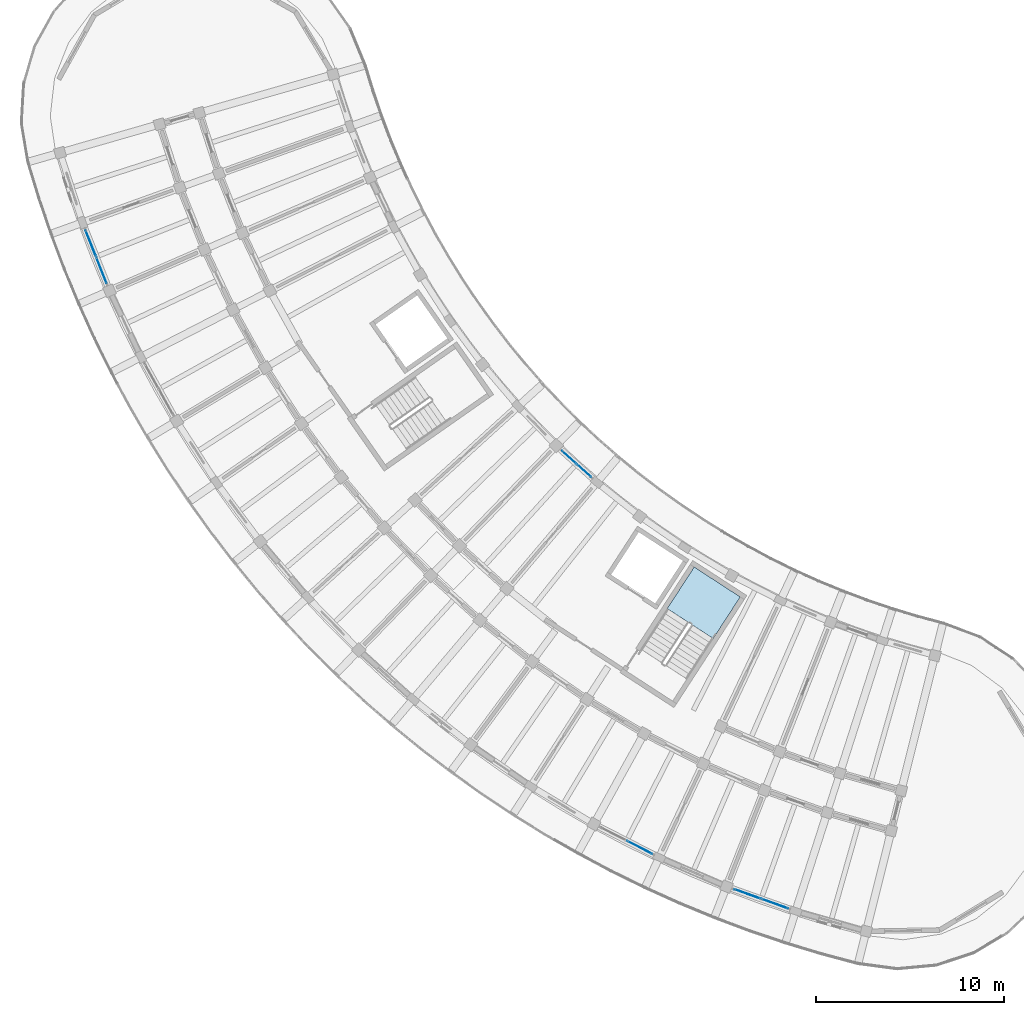
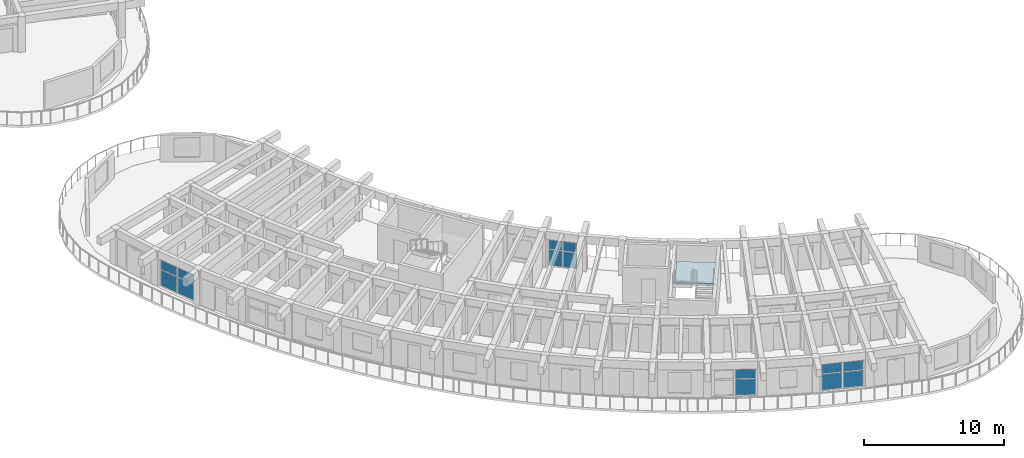
# One storey, part 44 of 96: 14 plates, 1 slab, 5 elements without a shape of their own.
"""IFC4 building model written with IfcOpenShell, lengths in metres."""

from ifc_helpers import new_model, si_unit, direction, frame, origin, origin_2d, place, context, subcontext, project, spatial, polyline, rectangle, outline, extrude, material, layer, layer_set, type_object, element, aggregate, save


model = new_model("IFC4")

# Units and contexts
model_context = context("Model", 3, precision=1e-05, world=origin(), true_north=direction((0.0, 1.0)))
body_context = subcontext(model_context, "Body", "Model", "MODEL_VIEW")
ifc_project = project(units=[si_unit("LENGTHUNIT", "METRE"), si_unit("AREAUNIT", "SQUARE_METRE"), si_unit("VOLUMEUNIT", "CUBIC_METRE"), si_unit("PLANEANGLEUNIT", "RADIAN"), si_unit("MASSUNIT", "GRAM", prefix="KILO")], contexts=[model_context])

# Site, building, storey
site_placement = place(None, origin())
site = spatial("IfcSite", under=ifc_project, at=site_placement, CompositionType="ELEMENT")
building_placement = place(site_placement, origin())
building = spatial("IfcBuilding", under=site, at=building_placement, Name="Tanwirah Colonnade Gardens", CompositionType="ELEMENT")
storey_placement = place(building_placement, frame((0.0, 0.0, 12.199951171875)))
storey = spatial("IfcBuildingStorey", under=building, at=storey_placement, Name="L03", CompositionType="ELEMENT", Elevation=12.199951171875)

# Curtain wall, plates
ifc_material_1 = material(Name="Bronze-anodised aluminium and solar-control low-E glass", Category="aluminium")
curtain_wall_type_1 = type_object("IfcCurtainWallType", Name="CW-LOB", PredefinedType="NOTDEFINED", material=ifc_material_1)
curtain_wall_1_placement = place(storey_placement, origin())
curtain_wall_1 = element("IfcCurtainWall", 1, at=curtain_wall_1_placement, inside=storey, type_object=curtain_wall_type_1, Name="Curtain Wall CW-C-L03-OUT-01", PredefinedType="NOTDEFINED")
ifc_material_2 = material(Name="Acoustic solar-control low-E double glazing", Category="glass")
ifc_layer_1 = layer(ifc_material_2, 0.031982421875)
ifc_layer_set_1 = layer_set([ifc_layer_1], Name="Acoustic solar-control low-E double glazing")
plate_type = type_object("IfcPlateType", Name="CWP-GLZ32", PredefinedType="CURTAIN_PANEL", material=ifc_layer_set_1)
plate_1_placement = place(storey_placement, frame((9.384765625, 43.287841796875, 0.070068359375), z_axis=(0.0, 0.0, 1.0), x_axis=(0.368528781723, -0.929616338627, 0.0)))
plate_1 = element("IfcPlate", 2, at=plate_1_placement, type_object=plate_type, Name="CW-LOB panel 1.1", PredefinedType="CURTAIN_PANEL", context=body_context, shape_type="SweptSolid", body=[
    extrude(rectangle(XDim=1.4833984375, YDim=0.031982421875, at=origin_2d()), origin(), (0.0, 0.0, 1.0), 1.35498046875),
])
plate_2_placement = place(storey_placement, frame((9.384765625, 43.287841796875, 1.4951171875), z_axis=(0.0, 0.0, 1.0), x_axis=(0.368528781723, -0.929616338627, 0.0)))
plate_2 = element("IfcPlate", 3, at=plate_2_placement, type_object=plate_type, Name="CW-LOB panel 1.2", PredefinedType="CURTAIN_PANEL", context=body_context, shape_type="SweptSolid", body=[
    extrude(rectangle(XDim=1.4833984375, YDim=0.031982421875, at=origin_2d()), origin(), (0.0, 0.0, 1.0), 0.789794921875),
])
plate_3_placement = place(storey_placement, frame((9.957275390625, 41.84375, 0.070068359375), z_axis=(0.0, 0.0, 1.0), x_axis=(0.368528781723, -0.929616338627, 0.0)))
plate_3 = element("IfcPlate", 4, at=plate_3_placement, type_object=plate_type, Name="CW-LOB panel 2.1", PredefinedType="CURTAIN_PANEL", context=body_context, shape_type="SweptSolid", body=[
    extrude(rectangle(XDim=1.4833984375, YDim=0.031982421875, at=origin_2d()), origin(), (0.0, 0.0, 1.0), 1.35498046875),
])
plate_4_placement = place(storey_placement, frame((9.957275390625, 41.84375, 1.4951171875), z_axis=(0.0, 0.0, 1.0), x_axis=(0.368528781723, -0.929616338627, 0.0)))
plate_4 = element("IfcPlate", 5, at=plate_4_placement, type_object=plate_type, Name="CW-LOB panel 2.2", PredefinedType="CURTAIN_PANEL", context=body_context, shape_type="SweptSolid", body=[
    extrude(rectangle(XDim=1.4833984375, YDim=0.031982421875, at=origin_2d()), origin(), (0.0, 0.0, 1.0), 0.789794921875),
])
aggregate(curtain_wall_1, [plate_1, plate_2, plate_3, plate_4])

curtain_wall_type_2 = type_object("IfcCurtainWallType", Name="CW-GDN", PredefinedType="NOTDEFINED", material=ifc_material_1)
curtain_wall_2_placement = place(storey_placement, origin())
curtain_wall_2 = element("IfcCurtainWall", 6, at=curtain_wall_2_placement, inside=storey, type_object=curtain_wall_type_2, Name="Curtain Wall CW-C-L03-IN-08", PredefinedType="NOTDEFINED")
plate_5_placement = place(storey_placement, frame((34.808349609375, 31.905029296875, 0.070068359375), z_axis=(0.0, 0.0, 1.0), x_axis=(0.741682643058, -0.670750964954, 0.0)))
plate_5 = element("IfcPlate", 7, at=plate_5_placement, type_object=plate_type, Name="CW-GDN panel 1.1", PredefinedType="CURTAIN_PANEL", context=body_context, shape_type="SweptSolid", body=[
    extrude(rectangle(XDim=0.9892578125, YDim=0.031982421875, at=origin_2d()), origin(), (0.0, 0.0, 1.0), 1.35498046875),
])
plate_6_placement = place(storey_placement, frame((34.808349609375, 31.905029296875, 1.4951171875), z_axis=(0.0, 0.0, 1.0), x_axis=(0.741682643058, -0.670750964954, 0.0)))
plate_6 = element("IfcPlate", 8, at=plate_6_placement, type_object=plate_type, Name="CW-GDN panel 1.2", PredefinedType="CURTAIN_PANEL", context=body_context, shape_type="SweptSolid", body=[
    extrude(rectangle(XDim=0.9892578125, YDim=0.031982421875, at=origin_2d()), origin(), (0.0, 0.0, 1.0), 0.789794921875),
])
plate_7_placement = place(storey_placement, frame((35.593994140625, 31.194580078125, 0.070068359375), z_axis=(0.0, 0.0, 1.0), x_axis=(0.741682643058, -0.670750964954, 0.0)))
plate_7 = element("IfcPlate", 9, at=plate_7_placement, type_object=plate_type, Name="CW-GDN panel 2.1", PredefinedType="CURTAIN_PANEL", context=body_context, shape_type="SweptSolid", body=[
    extrude(rectangle(XDim=0.9892578125, YDim=0.031982421875, at=origin_2d()), origin(), (0.0, 0.0, 1.0), 1.35498046875),
])
plate_8_placement = place(storey_placement, frame((35.593994140625, 31.194580078125, 1.4951171875), z_axis=(0.0, 0.0, 1.0), x_axis=(0.741682643058, -0.670750964954, 0.0)))
plate_8 = element("IfcPlate", 10, at=plate_8_placement, type_object=plate_type, Name="CW-GDN panel 2.2", PredefinedType="CURTAIN_PANEL", context=body_context, shape_type="SweptSolid", body=[
    extrude(rectangle(XDim=0.9892578125, YDim=0.031982421875, at=origin_2d()), origin(), (0.0, 0.0, 1.0), 0.789794921875),
])
aggregate(curtain_wall_2, [plate_5, plate_6, plate_7, plate_8])

curtain_wall_3_placement = place(storey_placement, origin())
curtain_wall_3 = element("IfcCurtainWall", 11, at=curtain_wall_3_placement, inside=storey, type_object=curtain_wall_type_1, Name="Curtain Wall CW-C-L03-OUT-12", PredefinedType="NOTDEFINED")
plate_9_placement = place(storey_placement, frame((38.554931640625, 11.173828125, 0.070068359375), z_axis=(0.0, 0.0, 1.0), x_axis=(0.890014111869, -0.455932978269, 0.0)))
plate_9 = element("IfcPlate", 12, at=plate_9_placement, type_object=plate_type, Name="CW-LOB panel 2.1", PredefinedType="CURTAIN_PANEL", context=body_context, shape_type="SweptSolid", body=[
    extrude(rectangle(XDim=1.4833984375, YDim=0.031982421875, at=origin_2d()), origin(), (0.0, 0.0, 1.0), 1.35498046875),
])
plate_10_placement = place(storey_placement, frame((38.554931640625, 11.173828125, 1.4951171875), z_axis=(0.0, 0.0, 1.0), x_axis=(0.890014111869, -0.455932978269, 0.0)))
plate_10 = element("IfcPlate", 13, at=plate_10_placement, type_object=plate_type, Name="CW-LOB panel 2.2", PredefinedType="CURTAIN_PANEL", context=body_context, shape_type="SweptSolid", body=[
    extrude(rectangle(XDim=1.4833984375, YDim=0.031982421875, at=origin_2d()), origin(), (0.0, 0.0, 1.0), 0.789794921875),
])
aggregate(curtain_wall_3, [plate_9, plate_10])

curtain_wall_4_placement = place(storey_placement, origin())
curtain_wall_4 = element("IfcCurtainWall", 14, at=curtain_wall_4_placement, inside=storey, type_object=curtain_wall_type_1, Name="Curtain Wall CW-C-L03-OUT-14", PredefinedType="NOTDEFINED")
plate_11_placement = place(storey_placement, frame((44.278564453125, 8.7001953125, 0.070068359375), z_axis=(0.0, 0.0, 1.0), x_axis=(0.941911145793, -0.335862164333, 0.0)))
plate_11 = element("IfcPlate", 15, at=plate_11_placement, type_object=plate_type, Name="CW-LOB panel 1.1", PredefinedType="CURTAIN_PANEL", context=body_context, shape_type="SweptSolid", body=[
    extrude(rectangle(XDim=1.4833984375, YDim=0.031982421875, at=origin_2d()), origin(), (0.0, 0.0, 1.0), 1.35498046875),
])
plate_12_placement = place(storey_placement, frame((44.278564453125, 8.7001953125, 1.4951171875), z_axis=(0.0, 0.0, 1.0), x_axis=(0.941911145793, -0.335862164333, 0.0)))
plate_12 = element("IfcPlate", 16, at=plate_12_placement, type_object=plate_type, Name="CW-LOB panel 1.2", PredefinedType="CURTAIN_PANEL", context=body_context, shape_type="SweptSolid", body=[
    extrude(rectangle(XDim=1.4833984375, YDim=0.031982421875, at=origin_2d()), origin(), (0.0, 0.0, 1.0), 0.789794921875),
])
plate_13_placement = place(storey_placement, frame((45.74169921875, 8.178466796875, 0.070068359375), z_axis=(0.0, 0.0, 1.0), x_axis=(0.941911145793, -0.335862164333, 0.0)))
plate_13 = element("IfcPlate", 17, at=plate_13_placement, type_object=plate_type, Name="CW-LOB panel 2.1", PredefinedType="CURTAIN_PANEL", context=body_context, shape_type="SweptSolid", body=[
    extrude(rectangle(XDim=1.4833984375, YDim=0.031982421875, at=origin_2d()), origin(), (0.0, 0.0, 1.0), 1.35498046875),
])
plate_14_placement = place(storey_placement, frame((45.74169921875, 8.178466796875, 1.4951171875), z_axis=(0.0, 0.0, 1.0), x_axis=(0.941911145793, -0.335862164333, 0.0)))
plate_14 = element("IfcPlate", 18, at=plate_14_placement, type_object=plate_type, Name="CW-LOB panel 2.2", PredefinedType="CURTAIN_PANEL", context=body_context, shape_type="SweptSolid", body=[
    extrude(rectangle(XDim=1.4833984375, YDim=0.031982421875, at=origin_2d()), origin(), (0.0, 0.0, 1.0), 0.789794921875),
])
aggregate(curtain_wall_4, [plate_11, plate_12, plate_13, plate_14])

# Stair, slab
ifc_material_3 = material(Name="Precast concrete C40/50", Category="concrete")
stair_type = type_object("IfcStairType", Name="ST-RES168", PredefinedType="HALF_TURN_STAIR", material=ifc_material_3)
stair_placement = place(storey_placement, origin())
stair = element("IfcStair", 19, at=stair_placement, inside=storey, type_object=stair_type, Name="L03 Block C Core 2 Exit Stair", PredefinedType="HALF_TURN_STAIR")
ifc_layer_2 = layer(ifc_material_3, 0.205078125)
ifc_layer_set_2 = layer_set([ifc_layer_2], Name="Precast concrete C40/50")
slab_type = type_object("IfcSlabType", Name="SL-LND-205", PredefinedType="LANDING", material=ifc_layer_set_2)
slab_placement = place(storey_placement, frame((0.0, 0.0, 1.47509765625)))
slab = element("IfcSlab", 20, at=slab_placement, type_object=slab_type, Name="ST-C2 landing 1", PredefinedType="LANDING", context=body_context, shape_type="SweptSolid", body=[
    extrude(outline(polyline([(42.467529296875, 22.27490234375), (43.902587890625, 24.48486328125), (41.45361328125, 26.0751953125), (40.0185546875, 23.865234375), (42.467529296875, 22.27490234375)])), origin(), (0.0, 0.0, 1.0), 0.204833984375),
])
aggregate(stair, [slab])

save(model, "model.ifc")
